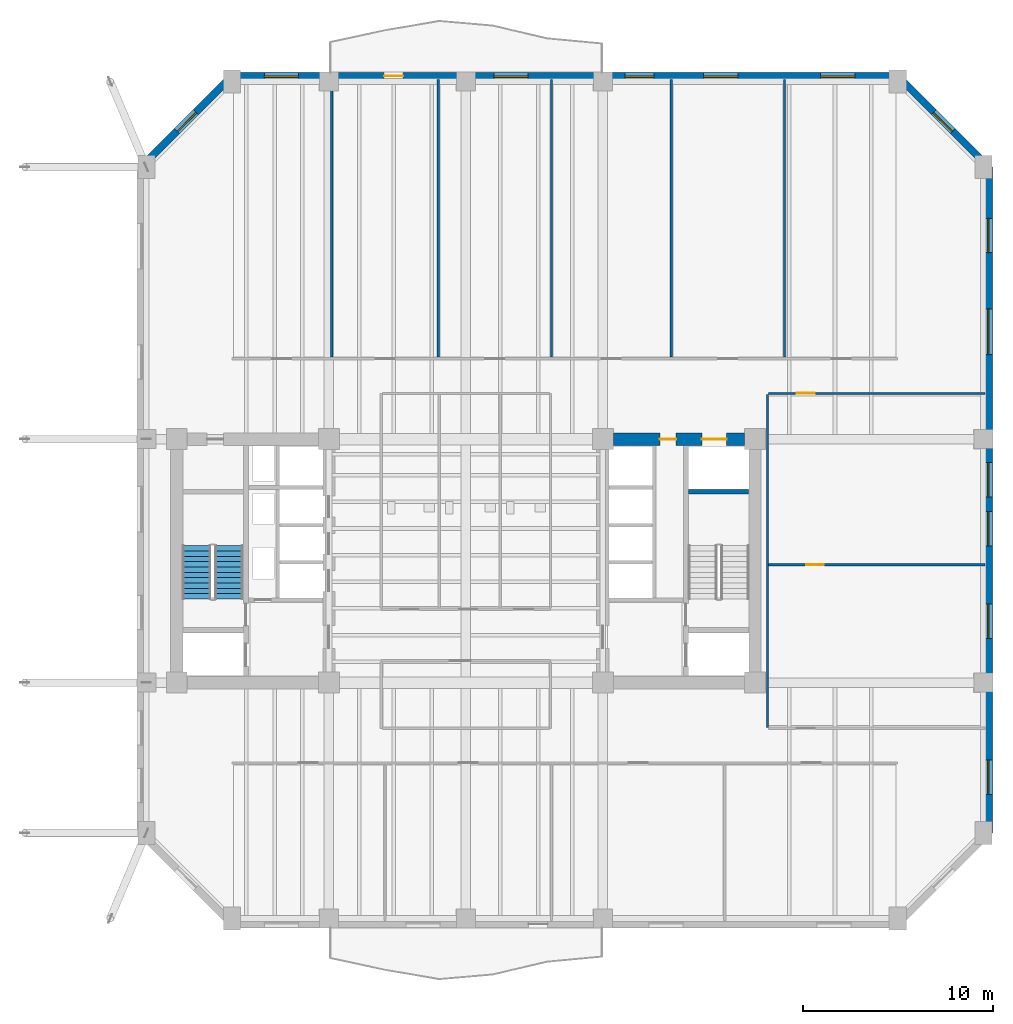
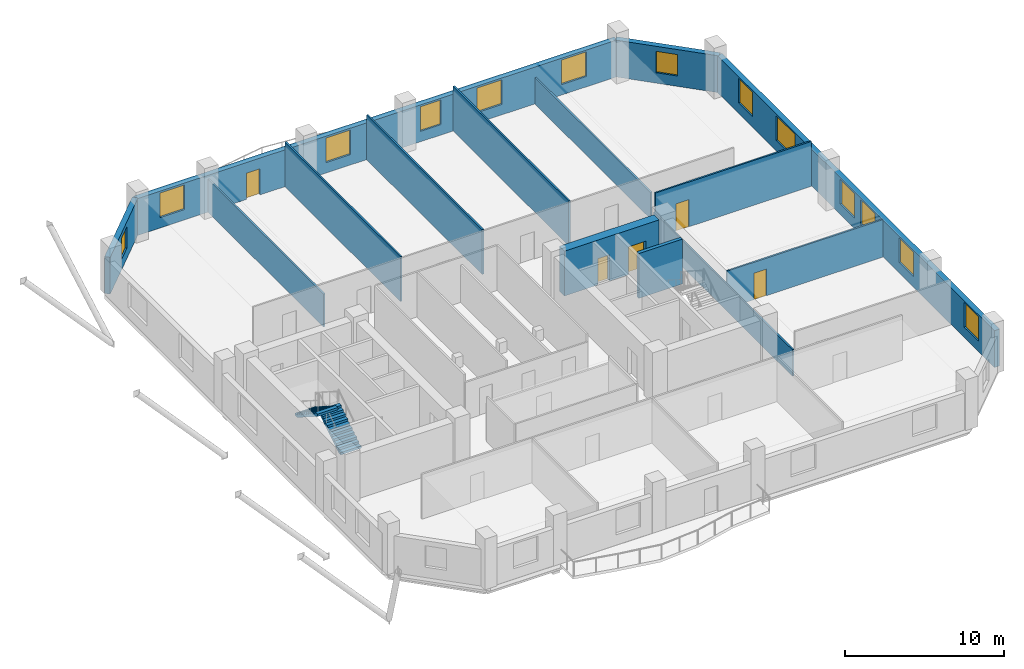
# One storey, part 7 of 12: 14 walls, 13 windows, 5 doors, 2 stair flights, 18 openings, 1 element without a shape of its own.
"""IFC4 building model written with IfcOpenShell, lengths in metres."""

from ifc_helpers import new_model, si_unit, direction, frame, frame_2d, origin, place, context, subcontext, project, spatial, polyline, rectangle, outline, extrude, material, layer, layer_set, type_object, element, fill, aggregate, save


model = new_model("IFC4")

# Units and contexts
model_context = context("Model", 3, precision=1e-05, world=origin(), true_north=direction((0.0, 1.0)))
body_context = subcontext(model_context, "Body", "Model", "MODEL_VIEW")
ifc_project = project(units=[si_unit("LENGTHUNIT", "METRE"), si_unit("AREAUNIT", "SQUARE_METRE"), si_unit("VOLUMEUNIT", "CUBIC_METRE"), si_unit("PLANEANGLEUNIT", "RADIAN"), si_unit("MASSUNIT", "GRAM", prefix="KILO")], contexts=[model_context])

# Site, building, storey
site_placement = place(None, origin())
site = spatial("IfcSite", under=ifc_project, at=site_placement, CompositionType="ELEMENT")
building_placement = place(site_placement, origin())
building = spatial("IfcBuilding", under=site, at=building_placement, Name="Kranthara Brick Stack", CompositionType="ELEMENT")
storey_placement = place(building_placement, frame((0.0, 0.0, 90.60009765625)))
storey = spatial("IfcBuildingStorey", under=building, at=storey_placement, Name="L22", CompositionType="ELEMENT", Elevation=90.60009765625)

# Wall, opening, window
ifc_material_1 = material(Name="Kiln-fired clay brick masonry M15", Category="masonry")
ifc_layer_1 = layer(ifc_material_1, 0.3798828125)
ifc_layer_set_1 = layer_set([ifc_layer_1], Name="Kiln-fired clay brick masonry M15")
wall_type_1 = type_object("IfcWallType", Name="WL-BRK-PIER-380", PredefinedType="STANDARD", material=ifc_layer_set_1)
wall_1_placement = place(storey_placement, frame((10.909912109375, 47.89990234375, 0.0), z_axis=(0.0, 0.0, 1.0), x_axis=(0.707106781187, 0.707106781187, 0.0)))
wall_1 = element("IfcWall", 1, at=wall_1_placement, inside=storey, type_object=wall_type_1, Name="L22 Exterior Brick Facade Wall NW 1", PredefinedType="STANDARD", context=body_context, shape_type="SweptSolid", body=[
    extrude(rectangle(XDim=6.774169921875, YDim=0.3798828125, at=frame_2d((3.38720703125, 0.0))), origin(), (0.0, 0.0, 1.0), 2.8349609375),
])
opening_1_placement = place(wall_1_placement, frame((2.68701171875, 0.0, 0.800048828125)))
opening_1 = element("IfcOpeningElement", 2, at=opening_1_placement, cuts=wall_1, Name="Opening WN10", PredefinedType="OPENING", context=body_context, shape_type="SweptSolid", body=[
    extrude(rectangle(XDim=1.39990234375, YDim=1.64990234375, at=frame_2d((0.699951171875, 0.824951171875))), frame((0.0, 0.199951171875, 0.0), z_axis=(0.0, -1.0, 0.0), x_axis=(1.0, 0.0, 0.0)), (0.0, 0.0, 1.0), 0.39990234375),
])
ifc_material_2 = material(Name="Double-glazed low-E solar control glass", Category="glass")
window_type_1 = type_object("IfcWindowType", Name="WN-CHM-1400x1750", PartitioningType="SINGLE_PANEL", PredefinedType="WINDOW", material=ifc_material_2)
window_1_placement = place(opening_1_placement, origin())
window_1 = element("IfcWindow", 3, at=window_1_placement, inside=storey, type_object=window_type_1, Name="L22 NW Chamfer Corner Window", OverallHeight=1.64990234375, OverallWidth=1.39990234375, PartitioningType="SINGLE_PANEL", PredefinedType="WINDOW", context=body_context, shape_type="SweptSolid", body=[
    extrude(rectangle(XDim=1.39990234375, YDim=1.64990234375, at=frame_2d((0.699951171875, 0.824951171875))), frame((0.0, -0.010009765625, 0.0), z_axis=(0.0, -1.0, 0.0), x_axis=(1.0, 0.0, 0.0)), (0.0, 0.0, 1.0), 0.06005859375),
])
fill(opening_1, window_1)

# Wall, openings, door, windows
wall_2_placement = place(storey_placement, frame((15.699951171875, 52.68994140625, 0.0), z_axis=(0.0, 0.0, 1.0), x_axis=(1.0, 0.0, 0.0)))
wall_2 = element("IfcWall", 4, at=wall_2_placement, inside=storey, type_object=wall_type_1, Name="L22 Exterior Brick Facade Wall NORTH 1", PredefinedType="STANDARD", context=body_context, shape_type="SweptSolid", body=[
    extrude(rectangle(XDim=35.0, YDim=0.3798828125, at=frame_2d((17.5, 0.0))), origin(), (0.0, 0.0, 1.0), 2.8349609375),
])
opening_2_placement = place(wall_2_placement, frame((8.0, 0.0, 0.0)))
opening_2 = element("IfcOpeningElement", 5, at=opening_2_placement, cuts=wall_2, Name="Opening D03", PredefinedType="OPENING", context=body_context, shape_type="SweptSolid", body=[
    extrude(rectangle(XDim=1.0, YDim=2.02001953125, at=frame_2d((0.5, 1.010009765625))), frame((0.0, 0.199951171875, 0.0), z_axis=(0.0, -1.0, 0.0), x_axis=(1.0, 0.0, 0.0)), (0.0, 0.0, 1.0), 0.39990234375),
])
opening_3_placement = place(wall_2_placement, frame((1.699951171875, 0.0, 0.800048828125)))
opening_3 = element("IfcOpeningElement", 6, at=opening_3_placement, cuts=wall_2, Name="Opening WN01", PredefinedType="OPENING", context=body_context, shape_type="SweptSolid", body=[
    extrude(rectangle(XDim=1.800048828125, YDim=1.89990234375, at=frame_2d((0.89990234375, 0.949951171875))), frame((0.0, 0.199951171875, 0.0), z_axis=(0.0, -1.0, 0.0), x_axis=(1.0, 0.0, 0.0)), (0.0, 0.0, 1.0), 0.39990234375),
])
opening_4_placement = place(wall_2_placement, frame((13.77490234375, 0.0, 0.800048828125)))
opening_4 = element("IfcOpeningElement", 7, at=opening_4_placement, cuts=wall_2, Name="Opening WN01", PredefinedType="OPENING", context=body_context, shape_type="SweptSolid", body=[
    extrude(rectangle(XDim=1.800048828125, YDim=1.89990234375, at=frame_2d((0.89990234375, 0.949951171875))), frame((0.0, 0.199951171875, 0.0), z_axis=(0.0, -1.0, 0.0), x_axis=(1.0, 0.0, 0.0)), (0.0, 0.0, 1.0), 0.39990234375),
])
opening_5_placement = place(wall_2_placement, frame((20.675048828125, 0.0, 0.800048828125)))
opening_5 = element("IfcOpeningElement", 8, at=opening_5_placement, cuts=wall_2, Name="Opening WN03", PredefinedType="OPENING", context=body_context, shape_type="SweptSolid", body=[
    extrude(rectangle(XDim=1.5, YDim=1.89990234375, at=frame_2d((0.75, 0.949951171875))), frame((0.0, 0.199951171875, 0.0), z_axis=(0.0, -1.0, 0.0), x_axis=(1.0, 0.0, 0.0)), (0.0, 0.0, 1.0), 0.39990234375),
])
opening_6_placement = place(wall_2_placement, frame((24.800048828125, 0.0, 0.800048828125)))
opening_6 = element("IfcOpeningElement", 9, at=opening_6_placement, cuts=wall_2, Name="Opening WN01", PredefinedType="OPENING", context=body_context, shape_type="SweptSolid", body=[
    extrude(rectangle(XDim=1.800048828125, YDim=1.89990234375, at=frame_2d((0.89990234375, 0.949951171875))), frame((0.0, 0.199951171875, 0.0), z_axis=(0.0, -1.0, 0.0), x_axis=(1.0, 0.0, 0.0)), (0.0, 0.0, 1.0), 0.39990234375),
])
opening_7_placement = place(wall_2_placement, frame((30.949951171875, 0.0, 0.800048828125)))
opening_7 = element("IfcOpeningElement", 10, at=opening_7_placement, cuts=wall_2, Name="Opening WN01", PredefinedType="OPENING", context=body_context, shape_type="SweptSolid", body=[
    extrude(rectangle(XDim=1.800048828125, YDim=1.89990234375, at=frame_2d((0.89990234375, 0.949951171875))), frame((0.0, 0.199951171875, 0.0), z_axis=(0.0, -1.0, 0.0), x_axis=(1.0, 0.0, 0.0)), (0.0, 0.0, 1.0), 0.39990234375),
])
ifc_material_3 = material(Name="Bronze anodised aluminium and laminated glass", Category="aluminium")
door_type_1 = type_object("IfcDoorType", Name="DR-BALC-1000", OperationType="NOTDEFINED", PredefinedType="DOOR", material=ifc_material_3)
door_1_placement = place(opening_2_placement, origin())
door_1 = element("IfcDoor", 11, at=door_1_placement, inside=storey, type_object=door_type_1, Name="L22 North Balcony Terrace Door", OperationType="SINGLE_SWING_RIGHT", OverallHeight=2.02001953125, OverallWidth=1.0, PredefinedType="DOOR", context=body_context, shape_type="SweptSolid", body=[
    extrude(rectangle(XDim=1.0, YDim=2.02001953125, at=frame_2d((0.5, 1.010009765625))), frame((0.0, 0.02490234375, 0.0), z_axis=(0.0, -1.0, 0.0), x_axis=(1.0, 0.0, 0.0)), (0.0, 0.0, 1.0), 0.050048828125),
])
fill(opening_2, door_1)
ifc_material_4 = material(Name="Double-glazed low-E solar control glass", Category="glass")
window_type_2 = type_object("IfcWindowType", Name="WN-OFF-1500x2000", PartitioningType="SINGLE_PANEL", PredefinedType="WINDOW", material=ifc_material_4)
window_2_placement = place(opening_5_placement, origin())
window_2 = element("IfcWindow", 12, at=window_2_placement, inside=storey, type_object=window_type_2, Name="L22 North Deep-Set Brick Window 03", OverallHeight=1.89990234375, OverallWidth=1.5, PartitioningType="SINGLE_PANEL", PredefinedType="WINDOW", context=body_context, shape_type="SweptSolid", body=[
    extrude(rectangle(XDim=1.5, YDim=1.89990234375, at=frame_2d((0.75, 0.949951171875))), frame((0.0, -0.010009765625, 0.0), z_axis=(0.0, -1.0, 0.0), x_axis=(1.0, 0.0, 0.0)), (0.0, 0.0, 1.0), 0.06005859375),
])
fill(opening_5, window_2)
ifc_material_5 = material(Name="Double-glazed low-E solar control glass", Category="glass")
window_type_3 = type_object("IfcWindowType", Name="WN-OFF-1800x2000", PartitioningType="SINGLE_PANEL", PredefinedType="WINDOW", material=ifc_material_5)
window_3_placement = place(opening_3_placement, origin())
window_3 = element("IfcWindow", 13, at=window_3_placement, inside=storey, type_object=window_type_3, Name="L22 North Deep-Set Brick Window 01", OverallHeight=1.89990234375, OverallWidth=1.800048828125, PartitioningType="SINGLE_PANEL", PredefinedType="WINDOW", context=body_context, shape_type="SweptSolid", body=[
    extrude(rectangle(XDim=1.800048828125, YDim=1.89990234375, at=frame_2d((0.89990234375, 0.949951171875))), frame((0.0, -0.010009765625, 0.0), z_axis=(0.0, -1.0, 0.0), x_axis=(1.0, 0.0, 0.0)), (0.0, 0.0, 1.0), 0.06005859375),
])
fill(opening_3, window_3)
window_4_placement = place(opening_4_placement, origin())
window_4 = element("IfcWindow", 14, at=window_4_placement, inside=storey, type_object=window_type_3, Name="L22 North Deep-Set Brick Window 02", OverallHeight=1.89990234375, OverallWidth=1.800048828125, PartitioningType="SINGLE_PANEL", PredefinedType="WINDOW", context=body_context, shape_type="SweptSolid", body=[
    extrude(rectangle(XDim=1.800048828125, YDim=1.89990234375, at=frame_2d((0.89990234375, 0.949951171875))), frame((0.0, -0.010009765625, 0.0), z_axis=(0.0, -1.0, 0.0), x_axis=(1.0, 0.0, 0.0)), (0.0, 0.0, 1.0), 0.06005859375),
])
fill(opening_4, window_4)
window_5_placement = place(opening_6_placement, origin())
window_5 = element("IfcWindow", 15, at=window_5_placement, inside=storey, type_object=window_type_3, Name="L22 North Deep-Set Brick Window 04", OverallHeight=1.89990234375, OverallWidth=1.800048828125, PartitioningType="SINGLE_PANEL", PredefinedType="WINDOW", context=body_context, shape_type="SweptSolid", body=[
    extrude(rectangle(XDim=1.800048828125, YDim=1.89990234375, at=frame_2d((0.89990234375, 0.949951171875))), frame((0.0, -0.010009765625, 0.0), z_axis=(0.0, -1.0, 0.0), x_axis=(1.0, 0.0, 0.0)), (0.0, 0.0, 1.0), 0.06005859375),
])
fill(opening_6, window_5)
window_6_placement = place(opening_7_placement, origin())
window_6 = element("IfcWindow", 16, at=window_6_placement, inside=storey, type_object=window_type_3, Name="L22 North Deep-Set Brick Window 05", OverallHeight=1.89990234375, OverallWidth=1.800048828125, PartitioningType="SINGLE_PANEL", PredefinedType="WINDOW", context=body_context, shape_type="SweptSolid", body=[
    extrude(rectangle(XDim=1.800048828125, YDim=1.89990234375, at=frame_2d((0.89990234375, 0.949951171875))), frame((0.0, -0.010009765625, 0.0), z_axis=(0.0, -1.0, 0.0), x_axis=(1.0, 0.0, 0.0)), (0.0, 0.0, 1.0), 0.06005859375),
])
fill(opening_7, window_6)

# Wall, opening, window
wall_3_placement = place(storey_placement, frame((50.699951171875, 52.68994140625, 0.0), z_axis=(0.0, 0.0, 1.0), x_axis=(0.707106781187, -0.707106781187, 0.0)))
wall_3 = element("IfcWall", 17, at=wall_3_placement, inside=storey, type_object=wall_type_1, Name="L22 Exterior Brick Facade Wall NE 1", PredefinedType="STANDARD", context=body_context, shape_type="SweptSolid", body=[
    extrude(rectangle(XDim=6.774169921875, YDim=0.3798828125, at=frame_2d((3.38720703125, 0.0))), origin(), (0.0, 0.0, 1.0), 2.8349609375),
])
opening_8_placement = place(wall_3_placement, frame((2.68701171875, 0.0, 0.800048828125)))
opening_8 = element("IfcOpeningElement", 18, at=opening_8_placement, cuts=wall_3, Name="Opening WN10", PredefinedType="OPENING", context=body_context, shape_type="SweptSolid", body=[
    extrude(rectangle(XDim=1.39990234375, YDim=1.64990234375, at=frame_2d((0.699951171875, 0.824951171875))), frame((0.0, 0.199951171875, 0.0), z_axis=(0.0, -1.0, 0.0), x_axis=(1.0, 0.0, 0.0)), (0.0, 0.0, 1.0), 0.39990234375),
])
window_7_placement = place(opening_8_placement, origin())
window_7 = element("IfcWindow", 19, at=window_7_placement, inside=storey, type_object=window_type_1, Name="L22 NE Chamfer Corner Window", OverallHeight=1.64990234375, OverallWidth=1.39990234375, PartitioningType="SINGLE_PANEL", PredefinedType="WINDOW", context=body_context, shape_type="SweptSolid", body=[
    extrude(rectangle(XDim=1.39990234375, YDim=1.64990234375, at=frame_2d((0.699951171875, 0.824951171875))), frame((0.0, -0.010009765625, 0.0), z_axis=(0.0, -1.0, 0.0), x_axis=(1.0, 0.0, 0.0)), (0.0, 0.0, 1.0), 0.06005859375),
])
fill(opening_8, window_7)

# Wall, openings, windows
wall_4_placement = place(storey_placement, frame((55.489990234375, 47.89990234375, 0.0), z_axis=(0.0, 0.0, 1.0), x_axis=(0.0, -1.0, 0.0)))
wall_4 = element("IfcWall", 20, at=wall_4_placement, inside=storey, type_object=wall_type_1, Name="L22 Exterior Brick Facade Wall EAST 1", PredefinedType="STANDARD", context=body_context, shape_type="SweptSolid", body=[
    extrude(rectangle(XDim=35.0, YDim=0.3798828125, at=frame_2d((17.5, 0.0))), origin(), (0.0, 0.0, 1.0), 2.8349609375),
])
opening_9_placement = place(wall_4_placement, frame((2.693115234375, 0.0, 0.800048828125)))
opening_9 = element("IfcOpeningElement", 21, at=opening_9_placement, cuts=wall_4, Name="Opening WN01", PredefinedType="OPENING", context=body_context, shape_type="SweptSolid", body=[
    extrude(rectangle(XDim=1.800048828125, YDim=1.89990234375, at=frame_2d((0.89990234375, 0.949951171875))), frame((0.0, 0.199951171875, 0.0), z_axis=(0.0, -1.0, 0.0), x_axis=(1.0, 0.0, 0.0)), (0.0, 0.0, 1.0), 0.39990234375),
])
opening_10_placement = place(wall_4_placement, frame((7.45703125, 0.0, 0.800048828125)))
opening_10 = element("IfcOpeningElement", 22, at=opening_10_placement, cuts=wall_4, Name="Opening WN02", PredefinedType="OPENING", context=body_context, shape_type="SweptSolid", body=[
    extrude(rectangle(XDim=2.39990234375, YDim=1.89990234375, at=frame_2d((1.199951171875, 0.949951171875))), frame((0.0, 0.199951171875, 0.0), z_axis=(0.0, -1.0, 0.0), x_axis=(1.0, 0.0, 0.0)), (0.0, 0.0, 1.0), 0.39990234375),
])
opening_11_placement = place(wall_4_placement, frame((15.541015625, 0.0, 0.800048828125)))
opening_11 = element("IfcOpeningElement", 23, at=opening_11_placement, cuts=wall_4, Name="Opening WN01", PredefinedType="OPENING", context=body_context, shape_type="SweptSolid", body=[
    extrude(rectangle(XDim=1.800048828125, YDim=1.89990234375, at=frame_2d((0.89990234375, 0.949951171875))), frame((0.0, 0.199951171875, 0.0), z_axis=(0.0, -1.0, 0.0), x_axis=(1.0, 0.0, 0.0)), (0.0, 0.0, 1.0), 0.39990234375),
])
opening_12_placement = place(wall_4_placement, frame((18.10888671875, 0.0, 0.800048828125)))
opening_12 = element("IfcOpeningElement", 24, at=opening_12_placement, cuts=wall_4, Name="Opening WN01", PredefinedType="OPENING", context=body_context, shape_type="SweptSolid", body=[
    extrude(rectangle(XDim=1.800048828125, YDim=1.89990234375, at=frame_2d((0.89990234375, 0.949951171875))), frame((0.0, 0.199951171875, 0.0), z_axis=(0.0, -1.0, 0.0), x_axis=(1.0, 0.0, 0.0)), (0.0, 0.0, 1.0), 0.39990234375),
])
opening_13_placement = place(wall_4_placement, frame((22.97509765625, 0.0, 0.800048828125)))
opening_13 = element("IfcOpeningElement", 25, at=opening_13_placement, cuts=wall_4, Name="Opening WN01", PredefinedType="OPENING", context=body_context, shape_type="SweptSolid", body=[
    extrude(rectangle(XDim=1.800048828125, YDim=1.89990234375, at=frame_2d((0.89990234375, 0.949951171875))), frame((0.0, 0.199951171875, 0.0), z_axis=(0.0, -1.0, 0.0), x_axis=(1.0, 0.0, 0.0)), (0.0, 0.0, 1.0), 0.39990234375),
])
opening_14_placement = place(wall_4_placement, frame((31.175048828125, 0.0, 0.800048828125)))
opening_14 = element("IfcOpeningElement", 26, at=opening_14_placement, cuts=wall_4, Name="Opening WN01", PredefinedType="OPENING", context=body_context, shape_type="SweptSolid", body=[
    extrude(rectangle(XDim=1.800048828125, YDim=1.89990234375, at=frame_2d((0.89990234375, 0.949951171875))), frame((0.0, 0.199951171875, 0.0), z_axis=(0.0, -1.0, 0.0), x_axis=(1.0, 0.0, 0.0)), (0.0, 0.0, 1.0), 0.39990234375),
])
window_8_placement = place(opening_9_placement, origin())
window_8 = element("IfcWindow", 27, at=window_8_placement, inside=storey, type_object=window_type_3, Name="L22 East Deep-Set Brick Window 01", OverallHeight=1.89990234375, OverallWidth=1.800048828125, PartitioningType="SINGLE_PANEL", PredefinedType="WINDOW", context=body_context, shape_type="SweptSolid", body=[
    extrude(rectangle(XDim=1.800048828125, YDim=1.89990234375, at=frame_2d((0.89990234375, 0.949951171875))), frame((0.0, -0.010009765625, 0.0), z_axis=(0.0, -1.0, 0.0), x_axis=(1.0, 0.0, 0.0)), (0.0, 0.0, 1.0), 0.06005859375),
])
fill(opening_9, window_8)
window_9_placement = place(opening_11_placement, origin())
window_9 = element("IfcWindow", 28, at=window_9_placement, inside=storey, type_object=window_type_3, Name="L22 East Deep-Set Brick Window 03", OverallHeight=1.89990234375, OverallWidth=1.800048828125, PartitioningType="SINGLE_PANEL", PredefinedType="WINDOW", context=body_context, shape_type="SweptSolid", body=[
    extrude(rectangle(XDim=1.800048828125, YDim=1.89990234375, at=frame_2d((0.89990234375, 0.949951171875))), frame((0.0, -0.010009765625, 0.0), z_axis=(0.0, -1.0, 0.0), x_axis=(1.0, 0.0, 0.0)), (0.0, 0.0, 1.0), 0.06005859375),
])
fill(opening_11, window_9)
window_10_placement = place(opening_12_placement, origin())
window_10 = element("IfcWindow", 29, at=window_10_placement, inside=storey, type_object=window_type_3, Name="L22 East Deep-Set Brick Window 04", OverallHeight=1.89990234375, OverallWidth=1.800048828125, PartitioningType="SINGLE_PANEL", PredefinedType="WINDOW", context=body_context, shape_type="SweptSolid", body=[
    extrude(rectangle(XDim=1.800048828125, YDim=1.89990234375, at=frame_2d((0.89990234375, 0.949951171875))), frame((0.0, -0.010009765625, 0.0), z_axis=(0.0, -1.0, 0.0), x_axis=(1.0, 0.0, 0.0)), (0.0, 0.0, 1.0), 0.06005859375),
])
fill(opening_12, window_10)
window_11_placement = place(opening_13_placement, origin())
window_11 = element("IfcWindow", 30, at=window_11_placement, inside=storey, type_object=window_type_3, Name="L22 East Deep-Set Brick Window 05", OverallHeight=1.89990234375, OverallWidth=1.800048828125, PartitioningType="SINGLE_PANEL", PredefinedType="WINDOW", context=body_context, shape_type="SweptSolid", body=[
    extrude(rectangle(XDim=1.800048828125, YDim=1.89990234375, at=frame_2d((0.89990234375, 0.949951171875))), frame((0.0, -0.010009765625, 0.0), z_axis=(0.0, -1.0, 0.0), x_axis=(1.0, 0.0, 0.0)), (0.0, 0.0, 1.0), 0.06005859375),
])
fill(opening_13, window_11)
window_12_placement = place(opening_14_placement, origin())
window_12 = element("IfcWindow", 31, at=window_12_placement, inside=storey, type_object=window_type_3, Name="L22 East Deep-Set Brick Window 06", OverallHeight=1.89990234375, OverallWidth=1.800048828125, PartitioningType="SINGLE_PANEL", PredefinedType="WINDOW", context=body_context, shape_type="SweptSolid", body=[
    extrude(rectangle(XDim=1.800048828125, YDim=1.89990234375, at=frame_2d((0.89990234375, 0.949951171875))), frame((0.0, -0.010009765625, 0.0), z_axis=(0.0, -1.0, 0.0), x_axis=(1.0, 0.0, 0.0)), (0.0, 0.0, 1.0), 0.06005859375),
])
fill(opening_14, window_12)
ifc_material_6 = material(Name="Double-glazed low-E solar control glass", Category="glass")
window_type_4 = type_object("IfcWindowType", Name="WN-OFF-2400x2000", PartitioningType="DOUBLE_PANEL_VERTICAL", PredefinedType="WINDOW", material=ifc_material_6)
window_13_placement = place(opening_10_placement, origin())
window_13 = element("IfcWindow", 32, at=window_13_placement, inside=storey, type_object=window_type_4, Name="L22 East Deep-Set Brick Window 02", OverallHeight=1.89990234375, OverallWidth=2.39990234375, PartitioningType="SINGLE_PANEL", PredefinedType="WINDOW", context=body_context, shape_type="SweptSolid", body=[
    extrude(rectangle(XDim=2.39990234375, YDim=1.89990234375, at=frame_2d((1.199951171875, 0.949951171875))), frame((0.0, -0.010009765625, 0.0), z_axis=(0.0, -1.0, 0.0), x_axis=(1.0, 0.0, 0.0)), (0.0, 0.0, 1.0), 0.06005859375),
])
fill(opening_10, window_13)

# Wall
ifc_material_7 = material(Name="Concrete C50/60", Category="concrete")
ifc_layer_2 = layer(ifc_material_7, 0.25)
ifc_layer_set_2 = layer_set([ifc_layer_2], Name="Concrete C50/60")
wall_type_2 = type_object("IfcWallType", Name="WL-CORE-250", PredefinedType="SHEAR", material=ifc_layer_set_2)
wall_5_placement = place(storey_placement, frame((39.68994140625, 30.830078125, 0.0), z_axis=(0.0, 0.0, 1.0), x_axis=(1.0, 0.0, 0.0)))
element("IfcWall", 33, at=wall_5_placement, inside=storey, type_object=wall_type_2, Name="L22 East Stairwell Bearing Wall EST", PredefinedType="SHEAR", context=body_context, shape_type="SweptSolid", body=[
    extrude(rectangle(XDim=3.175048828125, YDim=0.25, at=frame_2d((1.58740234375, 0.0))), origin(), (0.0, 0.0, 1.0), 3.449951171875),
])

# Wall, openings, doors
ifc_material_8 = material(Name="Concrete C60/75", Category="concrete")
ifc_layer_3 = layer(ifc_material_8, 0.64990234375)
ifc_layer_set_3 = layer_set([ifc_layer_3], Name="Concrete C60/75")
wall_type_3 = type_object("IfcWallType", Name="WL-CORE-650", PredefinedType="SHEAR", material=ifc_layer_set_3)
wall_6_placement = place(storey_placement, frame((35.7548828125, 33.60009765625, 0.0), z_axis=(0.0, 0.0, 1.0), x_axis=(1.0, 0.0, 0.0)))
wall_6 = element("IfcWall", 34, at=wall_6_placement, inside=storey, type_object=wall_type_3, Name="L22 East Core Shear Wall North", PredefinedType="SHEAR", context=body_context, shape_type="SweptSolid", body=[
    extrude(rectangle(XDim=6.89013671875, YDim=0.64990234375, at=frame_2d((3.445068359375, 0.0))), origin(), (0.0, 0.0, 1.0), 3.449951171875),
])
opening_15_placement = place(wall_6_placement, frame((4.64501953125, 0.0, 0.0)))
opening_15 = element("IfcOpeningElement", 35, at=opening_15_placement, cuts=wall_6, Name="Opening LD03", PredefinedType="OPENING", context=body_context, shape_type="SweptSolid", body=[
    extrude(rectangle(XDim=1.300048828125, YDim=2.14990234375, at=frame_2d((0.64990234375, 1.074951171875))), frame((0.0, 0.3349609375, 0.0), z_axis=(0.0, -1.0, 0.0), x_axis=(1.0, 0.0, 0.0)), (0.0, 0.0, 1.0), 0.669921875),
])
opening_16_placement = place(wall_6_placement, frame((2.445068359375, 0.0, 0.0)))
opening_16 = element("IfcOpeningElement", 36, at=opening_16_placement, cuts=wall_6, Name="Opening D10", PredefinedType="OPENING", context=body_context, shape_type="SweptSolid", body=[
    extrude(rectangle(XDim=0.85009765625, YDim=2.02001953125, at=frame_2d((0.425048828125, 1.010009765625))), frame((0.0, 0.3349609375, 0.0), z_axis=(0.0, -1.0, 0.0), x_axis=(1.0, 0.0, 0.0)), (0.0, 0.0, 1.0), 0.669921875),
])
ifc_material_9 = material(Name="Stainless steel sliding landing door", Category="steel")
door_type_2 = type_object("IfcDoorType", Name="DR-LD-SV1300", OperationType="DOUBLE_DOOR_SLIDING", PredefinedType="DOOR", material=ifc_material_9)
door_2_placement = place(opening_15_placement, origin())
door_2 = element("IfcDoor", 37, at=door_2_placement, inside=storey, type_object=door_type_2, Name="L22 Stretcher Service Lift SV-01 Landing Door", OperationType="DOUBLE_DOOR_SLIDING", OverallHeight=2.14990234375, OverallWidth=1.300048828125, PredefinedType="DOOR", context=body_context, shape_type="SweptSolid", body=[
    extrude(rectangle(XDim=1.300048828125, YDim=2.14990234375, at=frame_2d((0.64990234375, 1.074951171875))), frame((0.0, 0.02490234375, 0.0), z_axis=(0.0, -1.0, 0.0), x_axis=(1.0, 0.0, 0.0)), (0.0, 0.0, 1.0), 0.050048828125),
])
fill(opening_15, door_2)
ifc_material_10 = material(Name="Solid-core hardwood timber leaf in steel frame", Category="steel")
door_type_3 = type_object("IfcDoorType", Name="DR-RSR-850", OperationType="NOTDEFINED", PredefinedType="DOOR", material=ifc_material_10)
door_3_placement = place(opening_16_placement, origin())
door_3 = element("IfcDoor", 38, at=door_3_placement, inside=storey, type_object=door_type_3, Name="L22 East Core Service Room Door", OperationType="SINGLE_SWING_LEFT", OverallHeight=2.02001953125, OverallWidth=0.85009765625, PredefinedType="DOOR", context=body_context, shape_type="SweptSolid", body=[
    extrude(rectangle(XDim=0.85009765625, YDim=2.02001953125, at=frame_2d((0.425048828125, 1.010009765625))), frame((0.0, 0.02490234375, 0.0), z_axis=(0.0, -1.0, 0.0), x_axis=(1.0, 0.0, 0.0)), (0.0, 0.0, 1.0), 0.050048828125),
])
fill(opening_16, door_3)

# Walls
ifc_material_11 = material(Name="Acoustic gypsum plasterboard partition", Category="other")
ifc_layer_4 = layer(ifc_material_11, 0.1201171875)
ifc_layer_set_4 = layer_set([ifc_layer_4], Name="Acoustic gypsum plasterboard partition")
wall_type_4 = type_object("IfcWallType", Name="WL-PART-120", PredefinedType="PARTITIONING", material=ifc_layer_set_4)
wall_7_placement = place(storey_placement, frame((20.949951171875, 37.919921875, 0.0), z_axis=(0.0, 0.0, 1.0), x_axis=(0.0, 1.0, 0.0)))
element("IfcWall", 39, at=wall_7_placement, inside=storey, type_object=wall_type_4, Name="L22 Interior Partition 016", PredefinedType="PARTITIONING", context=body_context, shape_type="SweptSolid", body=[
    extrude(rectangle(XDim=14.5751953125, YDim=0.1201171875, at=frame_2d((7.28759765625, 0.0))), origin(), (0.0, 0.0, 1.0), 2.534912109375),
])
for number, where, z_axis, x_axis, name in (
    (40, (26.550048828125, 37.919921875, 0.0), (0.0, 0.0, 1.0), (0.0, 1.0, 0.0), "L22 Interior Partition 017"),
    (41, (32.5, 37.919921875, 0.0), (0.0, 0.0, 1.0), (0.0, 1.0, 0.0), "L22 Interior Partition 018"),
    (42, (38.800048828125, 37.919921875, 0.0), (0.0, 0.0, 1.0), (0.0, 1.0, 0.0), "L22 Interior Partition 019"),
):
    element("IfcWall", number, at=place(storey_placement, frame(where, z_axis=z_axis, x_axis=x_axis)), inside=storey, type_object=wall_type_4, Name=name, PredefinedType="PARTITIONING", context=body_context, shape_type="SweptSolid", body=[
        extrude(rectangle(XDim=14.5751953125, YDim=0.1201171875, at=frame_2d((7.28759765625, 0.0))), origin(), (0.0, 0.0, 1.0), 3.449951171875),
    ])
wall_8_placement = place(storey_placement, frame((44.75, 37.919921875, 0.0), z_axis=(0.0, 0.0, 1.0), x_axis=(0.0, 1.0, 0.0)))
element("IfcWall", 43, at=wall_8_placement, inside=storey, type_object=wall_type_4, Name="L22 Interior Partition 020", PredefinedType="PARTITIONING", context=body_context, shape_type="SweptSolid", body=[
    extrude(rectangle(XDim=14.5751953125, YDim=0.1201171875, at=frame_2d((7.28759765625, 0.0))), origin(), (0.0, 0.0, 1.0), 2.034912109375),
])
wall_9_placement = place(storey_placement, frame((43.85009765625, 18.449951171875, 0.0), z_axis=(0.0, 0.0, 1.0), x_axis=(0.0, 1.0, 0.0)))
element("IfcWall", 44, at=wall_9_placement, inside=storey, type_object=wall_type_4, Name="L22 Interior Partition 021", PredefinedType="PARTITIONING", context=body_context, shape_type="SweptSolid", body=[
    extrude(rectangle(XDim=17.5, YDim=0.1201171875, at=frame_2d((8.75, 0.0))), origin(), (0.0, 0.0, 1.0), 2.034912109375),
])

# Wall, opening, door
wall_10_placement = place(storey_placement, frame((43.9150390625, 36.0, 0.0), z_axis=(0.0, 0.0, 1.0), x_axis=(1.0, 0.0, 0.0)))
wall_10 = element("IfcWall", 45, at=wall_10_placement, inside=storey, type_object=wall_type_4, Name="L22 Interior Partition 023", PredefinedType="PARTITIONING", context=body_context, shape_type="SweptSolid", body=[
    extrude(rectangle(XDim=11.3798828125, YDim=0.1201171875, at=frame_2d((5.68994140625, 0.0))), origin(), (0.0, 0.0, 1.0), 3.449951171875),
])
opening_17_placement = place(wall_10_placement, frame((1.485107421875, 0.0, 0.0)))
opening_17 = element("IfcOpeningElement", 46, at=opening_17_placement, cuts=wall_10, Name="Opening D14", PredefinedType="OPENING", context=body_context, shape_type="SweptSolid", body=[
    extrude(rectangle(XDim=0.949951171875, YDim=2.10009765625, at=frame_2d((0.47509765625, 1.050048828125))), frame((0.0, 0.070068359375, 0.0), z_axis=(0.0, -1.0, 0.0), x_axis=(1.0, 0.0, 0.0)), (0.0, 0.0, 1.0), 0.14013671875),
])
ifc_material_12 = material(Name="Solid-core hardwood timber leaf in steel frame", Category="steel")
door_type_4 = type_object("IfcDoorType", Name="DR-INT-950", OperationType="NOTDEFINED", PredefinedType="DOOR", material=ifc_material_12)
door_4_placement = place(opening_17_placement, origin())
door_4 = element("IfcDoor", 47, at=door_4_placement, inside=storey, type_object=door_type_4, Name="L22 East North Office 17", OperationType="SINGLE_SWING_LEFT", OverallHeight=2.10009765625, OverallWidth=0.949951171875, PredefinedType="DOOR", context=body_context, shape_type="SweptSolid", body=[
    extrude(rectangle(XDim=0.949951171875, YDim=2.10009765625, at=frame_2d((0.47509765625, 1.050048828125))), frame((0.0, 0.02490234375, 0.0), z_axis=(0.0, -1.0, 0.0), x_axis=(1.0, 0.0, 0.0)), (0.0, 0.0, 1.0), 0.050048828125),
])
fill(opening_17, door_4)

wall_11_placement = place(storey_placement, frame((43.9150390625, 27.0, 0.0), z_axis=(0.0, 0.0, 1.0), x_axis=(1.0, 0.0, 0.0)))
wall_11 = element("IfcWall", 48, at=wall_11_placement, inside=storey, type_object=wall_type_4, Name="L22 Interior Partition 024", PredefinedType="PARTITIONING", context=body_context, shape_type="SweptSolid", body=[
    extrude(rectangle(XDim=11.3798828125, YDim=0.1201171875, at=frame_2d((5.68994140625, 0.0))), origin(), (0.0, 0.0, 1.0), 2.885009765625),
])
opening_18_placement = place(wall_11_placement, frame((1.985107421875, 0.0, 0.0)))
opening_18 = element("IfcOpeningElement", 49, at=opening_18_placement, cuts=wall_11, Name="Opening D15", PredefinedType="OPENING", context=body_context, shape_type="SweptSolid", body=[
    extrude(rectangle(XDim=0.89990234375, YDim=2.050048828125, at=frame_2d((0.449951171875, 1.02490234375))), frame((0.0, 0.070068359375, 0.0), z_axis=(0.0, -1.0, 0.0), x_axis=(1.0, 0.0, 0.0)), (0.0, 0.0, 1.0), 0.14013671875),
])
ifc_material_13 = material(Name="Solid-core hardwood timber leaf in steel frame", Category="steel")
door_type_5 = type_object("IfcDoorType", Name="DR-INT-900", OperationType="NOTDEFINED", PredefinedType="DOOR", material=ifc_material_13)
door_5_placement = place(opening_18_placement, origin())
door_5 = element("IfcDoor", 50, at=door_5_placement, inside=storey, type_object=door_type_5, Name="L22 East Inner Suite Door 15", OperationType="SINGLE_SWING_LEFT", OverallHeight=2.050048828125, OverallWidth=0.89990234375, PredefinedType="DOOR", context=body_context, shape_type="SweptSolid", body=[
    extrude(rectangle(XDim=0.89990234375, YDim=2.050048828125, at=frame_2d((0.449951171875, 1.02490234375))), frame((0.0, 0.02490234375, 0.0), z_axis=(0.0, -1.0, 0.0), x_axis=(1.0, 0.0, 0.0)), (0.0, 0.0, 1.0), 0.050048828125),
])
fill(opening_18, door_5)

# Stair, stair flights
ifc_material_14 = material(Name="Concrete C45/55", Category="concrete")
stair_type = type_object("IfcStairType", Name="ST-CORE-22R", PredefinedType="HALF_TURN_STAIR", material=ifc_material_14)
stair_placement = place(storey_placement, origin())
stair = element("IfcStair", 51, at=stair_placement, inside=storey, type_object=stair_type, Name="L22 West Core Protected Exit Stair ST01", PredefinedType="HALF_TURN_STAIR")
ifc_material_15 = material(Name="Concrete C45/55", Category="concrete")
stair_flight_type = type_object("IfcStairFlightType", Name="SFL-RC-22R", PredefinedType="STRAIGHT", material=ifc_material_15)
stair_flight_1_placement = place(storey_placement, frame((15.550048828125, 25.199951171875, 0.0), z_axis=(0.0, 0.0, 1.0), x_axis=(0.0, 1.0, 0.0)))
stair_flight_1 = element("IfcStairFlight", 52, at=stair_flight_1_placement, type_object=stair_flight_type, Name="ST01 flight 1", NumberOfRisers=11, NumberOfTreads=10, PredefinedType="STRAIGHT", RiserHeight=0.177272727, TreadLength=0.28, context=body_context, shape_type="SweptSolid", body=[
    extrude(outline(polyline([(0.0, 0.0), (0.0, 0.17724609375), (0.280029296875, 0.17724609375), (0.280029296875, 0.3544921875), (0.56005859375, 0.3544921875), (0.56005859375, 0.53173828125), (0.840087890625, 0.53173828125), (0.840087890625, 0.708984375), (1.1201171875, 0.708984375), (1.1201171875, 0.886474609375), (1.39990234375, 0.886474609375), (1.39990234375, 1.063720703125), (1.679931640625, 1.063720703125), (1.679931640625, 1.240966796875), (1.9599609375, 1.240966796875), (1.9599609375, 1.418212890625), (2.239990234375, 1.418212890625), (2.239990234375, 1.595458984375), (2.52001953125, 1.595458984375), (2.52001953125, 1.772705078125), (2.800048828125, 1.772705078125), (2.800048828125, 1.949951171875), (2.800048828125, 1.59521484375), (0.2802734375, 0.0), (0.0, 0.0)])), frame((0.0, 0.75, 0.0), z_axis=(0.0, -1.0, 0.0), x_axis=(1.0, 0.0, 0.0)), (0.0, 0.0, 1.0), 1.5),
])
stair_flight_2_placement = place(storey_placement, frame((13.85009765625, 28.0, 1.949951171875), z_axis=(0.0, 0.0, 1.0), x_axis=(0.0, -1.0, 0.0)))
stair_flight_2 = element("IfcStairFlight", 53, at=stair_flight_2_placement, type_object=stair_flight_type, Name="ST01 flight 2", NumberOfRisers=11, NumberOfTreads=10, PredefinedType="STRAIGHT", RiserHeight=0.177272727, TreadLength=0.28, context=body_context, shape_type="SweptSolid", body=[
    extrude(outline(polyline([(0.0, 0.0), (0.0, 0.17724609375), (0.280029296875, 0.17724609375), (0.280029296875, 0.3544921875), (0.56005859375, 0.3544921875), (0.56005859375, 0.53173828125), (0.840087890625, 0.53173828125), (0.840087890625, 0.708984375), (1.1201171875, 0.708984375), (1.1201171875, 0.886474609375), (1.39990234375, 0.886474609375), (1.39990234375, 1.063720703125), (1.679931640625, 1.063720703125), (1.679931640625, 1.240966796875), (1.9599609375, 1.240966796875), (1.9599609375, 1.418212890625), (2.239990234375, 1.418212890625), (2.239990234375, 1.595458984375), (2.52001953125, 1.595458984375), (2.52001953125, 1.772705078125), (2.800048828125, 1.772705078125), (2.800048828125, 1.949951171875), (2.800048828125, 1.59521484375), (0.2802734375, 0.0), (0.0, 0.0)])), frame((0.0, 0.75, 0.0), z_axis=(0.0, -1.0, 0.0), x_axis=(1.0, 0.0, 0.0)), (0.0, 0.0, 1.0), 1.5),
])
aggregate(stair, [stair_flight_1, stair_flight_2])

save(model, "model.ifc")
